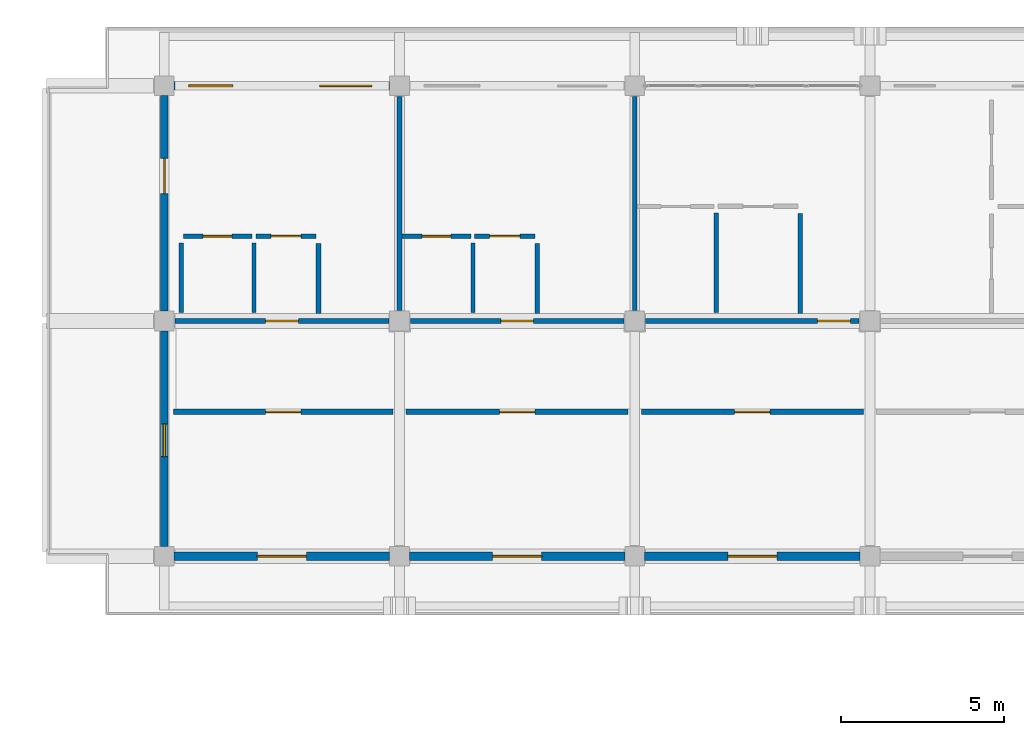
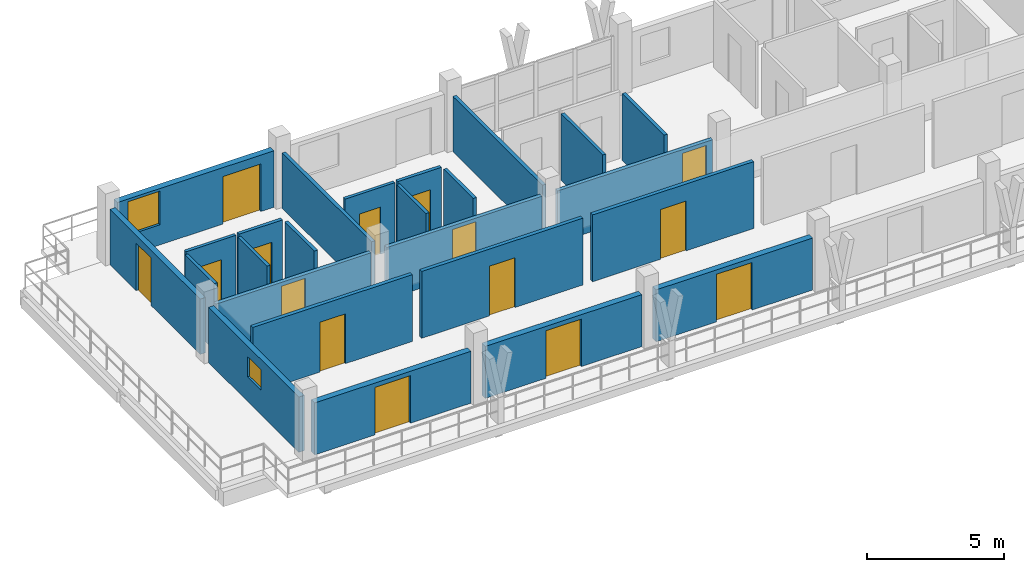
# One storey, part 38 of 73: 25 walls, 15 doors, 2 windows, 17 openings.
"""IFC4 building model written with IfcOpenShell, lengths in metres."""

from ifc_helpers import new_model, si_unit, direction, frame, frame_2d, origin, place, context, subcontext, project, spatial, rectangle, extrude, material, layer, layer_set, type_object, element, fill, save


model = new_model("IFC4")

# Units and contexts
model_context = context("Model", 3, precision=1e-05, world=origin(), true_north=direction((0.0, 1.0)))
body_context = subcontext(model_context, "Body", "Model", "MODEL_VIEW")
ifc_project = project(units=[si_unit("LENGTHUNIT", "METRE"), si_unit("AREAUNIT", "SQUARE_METRE"), si_unit("VOLUMEUNIT", "CUBIC_METRE"), si_unit("PLANEANGLEUNIT", "RADIAN"), si_unit("MASSUNIT", "GRAM", prefix="KILO")], contexts=[model_context])

# Site, building, storey
site_placement = place(None, origin())
site = spatial("IfcSite", under=ifc_project, at=site_placement, CompositionType="ELEMENT")
building_placement = place(site_placement, origin())
building = spatial("IfcBuilding", under=site, at=building_placement, Name="Suanplinth Sawtooth Commons", CompositionType="ELEMENT")
storey_placement = place(building_placement, frame((0.0, 0.0, 21.89990234375)))
storey = spatial("IfcBuildingStorey", under=building, at=storey_placement, Name="L06", CompositionType="ELEMENT", Elevation=21.89990234375)

# Wall, openings, door, window
ifc_material_1 = material(Name="Precast concrete C40/50", Category="concrete")
ifc_layer_1 = layer(ifc_material_1, 0.260009765625, Name="Insulated precast courtyard facade wall 260mm")
ifc_layer_set_1 = layer_set([ifc_layer_1], Name="Precast concrete C40/50")
wall_type_1 = type_object("IfcWallType", Name="W-EX02", PredefinedType="ELEMENTEDWALL", material=ifc_layer_set_1)
wall_1_placement = place(storey_placement, frame((7.5, 122.39990234375, 0.0), z_axis=(0.0, 0.0, 1.0), x_axis=(1.0, 0.0, 0.0)))
wall_1 = element("IfcWall", 1, at=wall_1_placement, inside=storey, type_object=wall_type_1, Name="Facade Wall W-L06-A-N-0", PredefinedType="ELEMENTEDWALL", context=body_context, shape_type="SweptSolid", body=[
    extrude(rectangle(XDim=6.60009765625, YDim=0.260009765625, at=frame_2d((3.300048828125, 0.0))), origin(), (0.0, 0.0, 1.0), 2.51513671875),
])
opening_1_placement = place(wall_1_placement, frame((4.449951171875, 0.0, 0.0)))
opening_1 = element("IfcOpeningElement", 2, at=opening_1_placement, cuts=wall_1, Name="Opening ED0477", PredefinedType="OPENING", context=body_context, shape_type="SweptSolid", body=[
    extrude(rectangle(XDim=1.60009765625, YDim=2.1201171875, at=frame_2d((0.800048828125, 1.06005859375))), frame((0.0, 0.14501953125, 0.0), z_axis=(0.0, -1.0, 0.0), x_axis=(1.0, 0.0, 0.0)), (0.0, 0.0, 1.0), 0.289794921875),
])
opening_2_placement = place(wall_1_placement, frame((0.449951171875, 0.0, 0.89990234375)))
opening_2 = element("IfcOpeningElement", 3, at=opening_2_placement, cuts=wall_1, Name="Opening W0567", PredefinedType="OPENING", context=body_context, shape_type="SweptSolid", body=[
    extrude(rectangle(XDim=1.35009765625, YDim=1.5, at=frame_2d((0.675048828125, 0.75))), frame((0.0, 0.14501953125, 0.0), z_axis=(0.0, -1.0, 0.0), x_axis=(1.0, 0.0, 0.0)), (0.0, 0.0, 1.0), 0.289794921875),
])
ifc_material_2 = material(Name="Anodized aluminium and low-E glass", Category="aluminium")
door_type_1 = type_object("IfcDoorType", Name="SD-02", OperationType="SLIDING_TO_RIGHT", PredefinedType="DOOR", material=ifc_material_2)
door_1_placement = place(opening_1_placement, frame((1.60009765625, 0.0, 0.0), z_axis=(0.0, 0.0, 1.0), x_axis=(-1.0, 0.0, 0.0)))
door_1 = element("IfcDoor", 4, at=door_1_placement, inside=storey, type_object=door_type_1, Name="Balcony Sliding Door L06-A-N-0", OperationType="SLIDING_TO_RIGHT", OverallHeight=2.1201171875, OverallWidth=1.60009765625, PredefinedType="DOOR", context=body_context, shape_type="SweptSolid", body=[
    extrude(rectangle(XDim=1.60009765625, YDim=2.1201171875, at=frame_2d((0.800048828125, 1.06005859375))), frame((0.0, 0.02490234375, 0.0), z_axis=(0.0, -1.0, 0.0), x_axis=(1.0, 0.0, 0.0)), (0.0, 0.0, 1.0), 0.050048828125),
])
fill(opening_1, door_1)
ifc_material_3 = material(Name="Thermally broken aluminium and low-E double glazing", Category="aluminium")
window_type_1 = type_object("IfcWindowType", Name="WN-14", PartitioningType="SINGLE_PANEL", PredefinedType="WINDOW", material=ifc_material_3)
window_1_placement = place(opening_2_placement, origin())
window_1 = element("IfcWindow", 5, at=window_1_placement, inside=storey, type_object=window_type_1, Name="Window L06-A-N-0", OverallHeight=1.5, OverallWidth=1.35009765625, PartitioningType="SINGLE_PANEL", PredefinedType="WINDOW", context=body_context, shape_type="SweptSolid", body=[
    extrude(rectangle(XDim=1.35009765625, YDim=1.5, at=frame_2d((0.675048828125, 0.75))), frame((0.0, 0.030029296875, 0.0), z_axis=(0.0, -1.0, 0.0), x_axis=(1.0, 0.0, 0.0)), (0.0, 0.0, 1.0), 0.06005859375),
])
fill(opening_2, window_1)

# Wall, opening, door
wall_2_placement = place(storey_placement, frame((7.5, 108.0, 0.0), z_axis=(0.0, 0.0, 1.0), x_axis=(1.0, 0.0, 0.0)))
wall_2 = element("IfcWall", 6, at=wall_2_placement, inside=storey, type_object=wall_type_1, Name="Courtyard Wall W-L06-A-S-0", PredefinedType="ELEMENTEDWALL", context=body_context, shape_type="SweptSolid", body=[
    extrude(rectangle(XDim=6.60009765625, YDim=0.260009765625, at=frame_2d((3.300048828125, 0.0))), origin(), (0.0, 0.0, 1.0), 2.315185546875),
])
opening_3_placement = place(wall_2_placement, frame((2.550048828125, 0.0, 0.0)))
opening_3 = element("IfcOpeningElement", 7, at=opening_3_placement, cuts=wall_2, Name="Opening ED0478", PredefinedType="OPENING", context=body_context, shape_type="SweptSolid", body=[
    extrude(rectangle(XDim=1.5, YDim=2.1201171875, at=frame_2d((0.75, 1.06005859375))), frame((0.0, 0.14501953125, 0.0), z_axis=(0.0, -1.0, 0.0), x_axis=(1.0, 0.0, 0.0)), (0.0, 0.0, 1.0), 0.289794921875),
])
door_type_2 = type_object("IfcDoorType", Name="SD-03", OperationType="SLIDING_TO_LEFT", PredefinedType="DOOR", material=ifc_material_2)
door_2_placement = place(opening_3_placement, frame((1.5, 0.0, 0.0), z_axis=(0.0, 0.0, 1.0), x_axis=(-1.0, 0.0, 0.0)))
door_2 = element("IfcDoor", 8, at=door_2_placement, inside=storey, type_object=door_type_2, Name="Courtyard Balcony Sliding Door L06-A-S-0", OperationType="SLIDING_TO_LEFT", OverallHeight=2.1201171875, OverallWidth=1.5, PredefinedType="DOOR", context=body_context, shape_type="SweptSolid", body=[
    extrude(rectangle(XDim=1.5, YDim=2.1201171875, at=frame_2d((0.75, 1.06005859375))), frame((0.0, 0.02490234375, 0.0), z_axis=(0.0, -1.0, 0.0), x_axis=(1.0, 0.0, 0.0)), (0.0, 0.0, 1.0), 0.050048828125),
])
fill(opening_3, door_2)

wall_3_placement = place(storey_placement, frame((14.699951171875, 108.0, 0.0), z_axis=(0.0, 0.0, 1.0), x_axis=(1.0, 0.0, 0.0)))
wall_3 = element("IfcWall", 9, at=wall_3_placement, inside=storey, type_object=wall_type_1, Name="Courtyard Wall W-L06-A-S-1", PredefinedType="ELEMENTEDWALL", context=body_context, shape_type="SweptSolid", body=[
    extrude(rectangle(XDim=6.60009765625, YDim=0.260009765625, at=frame_2d((3.300048828125, 0.0))), origin(), (0.0, 0.0, 1.0), 2.315185546875),
])
opening_4_placement = place(wall_3_placement, frame((2.550048828125, 0.0, 0.0)))
opening_4 = element("IfcOpeningElement", 10, at=opening_4_placement, cuts=wall_3, Name="Opening ED0480", PredefinedType="OPENING", context=body_context, shape_type="SweptSolid", body=[
    extrude(rectangle(XDim=1.5, YDim=2.1201171875, at=frame_2d((0.75, 1.06005859375))), frame((0.0, 0.14501953125, 0.0), z_axis=(0.0, -1.0, 0.0), x_axis=(1.0, 0.0, 0.0)), (0.0, 0.0, 1.0), 0.289794921875),
])
door_3_placement = place(opening_4_placement, frame((1.5, 0.0, 0.0), z_axis=(0.0, 0.0, 1.0), x_axis=(-1.0, 0.0, 0.0)))
door_3 = element("IfcDoor", 11, at=door_3_placement, inside=storey, type_object=door_type_2, Name="Courtyard Balcony Sliding Door L06-A-S-1", OperationType="SLIDING_TO_LEFT", OverallHeight=2.1201171875, OverallWidth=1.5, PredefinedType="DOOR", context=body_context, shape_type="SweptSolid", body=[
    extrude(rectangle(XDim=1.5, YDim=2.1201171875, at=frame_2d((0.75, 1.06005859375))), frame((0.0, 0.02490234375, 0.0), z_axis=(0.0, -1.0, 0.0), x_axis=(1.0, 0.0, 0.0)), (0.0, 0.0, 1.0), 0.050048828125),
])
fill(opening_4, door_3)

wall_4_placement = place(storey_placement, frame((21.89990234375, 108.0, 0.0), z_axis=(0.0, 0.0, 1.0), x_axis=(1.0, 0.0, 0.0)))
wall_4 = element("IfcWall", 12, at=wall_4_placement, inside=storey, type_object=wall_type_1, Name="Courtyard Wall W-L06-A-S-2", PredefinedType="ELEMENTEDWALL", context=body_context, shape_type="SweptSolid", body=[
    extrude(rectangle(XDim=6.60009765625, YDim=0.260009765625, at=frame_2d((3.300048828125, 0.0))), origin(), (0.0, 0.0, 1.0), 2.315185546875),
])
opening_5_placement = place(wall_4_placement, frame((2.550048828125, 0.0, 0.0)))
opening_5 = element("IfcOpeningElement", 13, at=opening_5_placement, cuts=wall_4, Name="Opening ED0481", PredefinedType="OPENING", context=body_context, shape_type="SweptSolid", body=[
    extrude(rectangle(XDim=1.5, YDim=2.1201171875, at=frame_2d((0.75, 1.06005859375))), frame((0.0, 0.14501953125, 0.0), z_axis=(0.0, -1.0, 0.0), x_axis=(1.0, 0.0, 0.0)), (0.0, 0.0, 1.0), 0.289794921875),
])
door_4_placement = place(opening_5_placement, frame((1.5, 0.0, 0.0), z_axis=(0.0, 0.0, 1.0), x_axis=(-1.0, 0.0, 0.0)))
door_4 = element("IfcDoor", 14, at=door_4_placement, inside=storey, type_object=door_type_2, Name="Courtyard Balcony Sliding Door L06-A-S-2", OperationType="SLIDING_TO_LEFT", OverallHeight=2.1201171875, OverallWidth=1.5, PredefinedType="DOOR", context=body_context, shape_type="SweptSolid", body=[
    extrude(rectangle(XDim=1.5, YDim=2.1201171875, at=frame_2d((0.75, 1.06005859375))), frame((0.0, 0.02490234375, 0.0), z_axis=(0.0, -1.0, 0.0), x_axis=(1.0, 0.0, 0.0)), (0.0, 0.0, 1.0), 0.050048828125),
])
fill(opening_5, door_4)

# Wall, opening, window
ifc_layer_2 = layer(ifc_material_1, 0.22998046875, Name="Stepped terrace insulated precast wall 230mm")
ifc_layer_set_2 = layer_set([ifc_layer_2], Name="Precast concrete C40/50")
wall_type_2 = type_object("IfcWallType", Name="W-EX06", PredefinedType="ELEMENTEDWALL", material=ifc_layer_set_2)
wall_5_placement = place(storey_placement, frame((7.199951171875, 108.300048828125, 0.0), z_axis=(0.0, 0.0, 1.0), x_axis=(0.0, 1.0, 0.0)))
wall_5 = element("IfcWall", 15, at=wall_5_placement, inside=storey, type_object=wall_type_2, Name="End Wall W-L06-A-W-15", PredefinedType="ELEMENTEDWALL", context=body_context, shape_type="SweptSolid", body=[
    extrude(rectangle(XDim=6.599853515625, YDim=0.22998046875, at=frame_2d((3.2998046875, 0.0))), origin(), (0.0, 0.0, 1.0), 2.465087890625),
])
opening_6_placement = place(wall_5_placement, frame((2.75, 0.0, 1.10009765625)))
opening_6 = element("IfcOpeningElement", 16, at=opening_6_placement, cuts=wall_5, Name="Opening W0581", PredefinedType="OPENING", context=body_context, shape_type="SweptSolid", body=[
    extrude(rectangle(XDim=1.0, YDim=0.89990234375, at=frame_2d((0.5, 0.449951171875))), frame((0.0, 0.1298828125, 0.0), z_axis=(0.0, -1.0, 0.0), x_axis=(1.0, 0.0, 0.0)), (0.0, 0.0, 1.0), 0.259765625),
])
window_type_2 = type_object("IfcWindowType", Name="WN-12", PartitioningType="SINGLE_PANEL", PredefinedType="WINDOW", material=ifc_material_3)
window_2_placement = place(opening_6_placement, origin())
window_2 = element("IfcWindow", 17, at=window_2_placement, inside=storey, type_object=window_type_2, Name="End Window L06-A-W-15", OverallHeight=0.89990234375, OverallWidth=1.0, PartitioningType="SINGLE_PANEL", PredefinedType="WINDOW", context=body_context, shape_type="SweptSolid", body=[
    extrude(rectangle(XDim=1.0, YDim=0.89990234375, at=frame_2d((0.5, 0.449951171875))), frame((0.0, 0.030029296875, 0.0), z_axis=(0.0, -1.0, 0.0), x_axis=(1.0, 0.0, 0.0)), (0.0, 0.0, 1.0), 0.06005859375),
])
fill(opening_6, window_2)

# Wall, opening, door
wall_6_placement = place(storey_placement, frame((7.199951171875, 115.5, 0.0), z_axis=(0.0, 0.0, 1.0), x_axis=(0.0, 1.0, 0.0)))
wall_6 = element("IfcWall", 18, at=wall_6_placement, inside=storey, type_object=wall_type_2, Name="End Wall W-L06-A-W-16", PredefinedType="ELEMENTEDWALL", context=body_context, shape_type="SweptSolid", body=[
    extrude(rectangle(XDim=6.60009765625, YDim=0.22998046875, at=frame_2d((3.300048828125, 0.0))), origin(), (0.0, 0.0, 1.0), 2.465087890625),
])
opening_7_placement = place(wall_6_placement, frame((3.60009765625, 0.0, 0.0)))
opening_7 = element("IfcOpeningElement", 19, at=opening_7_placement, cuts=wall_6, Name="Opening ED0497", PredefinedType="OPENING", context=body_context, shape_type="SweptSolid", body=[
    extrude(rectangle(XDim=1.080078125, YDim=2.1201171875, at=frame_2d((0.5400390625, 1.06005859375))), frame((0.0, 0.1298828125, 0.0), z_axis=(0.0, -1.0, 0.0), x_axis=(1.0, 0.0, 0.0)), (0.0, 0.0, 1.0), 0.259765625),
])
door_type_3 = type_object("IfcDoorType", Name="ED-10", OperationType="NOTDEFINED", PredefinedType="DOOR", material=ifc_material_2)
door_5_placement = place(opening_7_placement, frame((1.080078125, 0.0, 0.0), z_axis=(0.0, 0.0, 1.0), x_axis=(-1.0, 0.0, 0.0)))
door_5 = element("IfcDoor", 20, at=door_5_placement, inside=storey, type_object=door_type_3, Name="L06 Block A W Stepped Terrace Door", OperationType="SINGLE_SWING_RIGHT", OverallHeight=2.1201171875, OverallWidth=1.080078125, PredefinedType="DOOR", context=body_context, shape_type="SweptSolid", body=[
    extrude(rectangle(XDim=1.080078125, YDim=2.1201171875, at=frame_2d((0.5400390625, 1.06005859375))), frame((0.0, 0.02490234375, 0.0), z_axis=(0.0, -1.0, 0.0), x_axis=(1.0, 0.0, 0.0)), (0.0, 0.0, 1.0), 0.050048828125),
])
fill(opening_7, door_5)

ifc_layer_3 = layer(ifc_material_1, 0.159912109375, Name="Fire-rated corridor and lobby wall 160mm")
ifc_layer_set_3 = layer_set([ifc_layer_3], Name="Precast concrete C40/50")
wall_type_3 = type_object("IfcWallType", Name="W-FW01", PredefinedType="PARTITIONING", material=ifc_layer_set_3)
wall_7_placement = place(storey_placement, frame((7.530029296875, 115.199951171875, 0.0), z_axis=(0.0, 0.0, 1.0), x_axis=(1.0, 0.0, 0.0)))
wall_7 = element("IfcWall", 21, at=wall_7_placement, inside=storey, type_object=wall_type_3, Name="W-A-L06-U01-COR", PredefinedType="PARTITIONING", context=body_context, shape_type="SweptSolid", body=[
    extrude(rectangle(XDim=6.5400390625, YDim=0.159912109375, at=frame_2d((3.27001953125, 0.0))), origin(), (0.0, 0.0, 1.0), 2.315185546875),
])
opening_8_placement = place(wall_7_placement, frame((2.77001953125, 0.0, 0.0)))
opening_8 = element("IfcOpeningElement", 22, at=opening_8_placement, cuts=wall_7, Name="Opening FD1355", PredefinedType="OPENING", context=body_context, shape_type="SweptSolid", body=[
    extrude(rectangle(XDim=1.0, YDim=2.14990234375, at=frame_2d((0.5, 1.074951171875))), frame((0.0, 0.0947265625, 0.0), z_axis=(0.0, -1.0, 0.0), x_axis=(1.0, 0.0, 0.0)), (0.0, 0.0, 1.0), 0.189697265625),
])
ifc_material_4 = material(Name="Teak hardwood fire-rated door assembly", Category="wood")
door_type_4 = type_object("IfcDoorType", Name="FD-03", OperationType="NOTDEFINED", PredefinedType="DOOR", material=ifc_material_4)
door_6_placement = place(opening_8_placement, origin())
door_6 = element("IfcDoor", 23, at=door_6_placement, inside=storey, type_object=door_type_4, Name="Unit Entrance Door FD1355", OperationType="SINGLE_SWING_LEFT", OverallHeight=2.14990234375, OverallWidth=1.0, PredefinedType="DOOR", context=body_context, shape_type="SweptSolid", body=[
    extrude(rectangle(XDim=1.0, YDim=2.14990234375, at=frame_2d((0.5, 1.074951171875))), frame((0.0, 0.02490234375, 0.0), z_axis=(0.0, -1.0, 0.0), x_axis=(1.0, 0.0, 0.0)), (0.0, 0.0, 1.0), 0.050048828125),
])
fill(opening_8, door_6)

wall_8_placement = place(storey_placement, frame((14.72998046875, 115.199951171875, 0.0), z_axis=(0.0, 0.0, 1.0), x_axis=(1.0, 0.0, 0.0)))
wall_8 = element("IfcWall", 24, at=wall_8_placement, inside=storey, type_object=wall_type_3, Name="W-A-L06-U02-COR", PredefinedType="PARTITIONING", context=body_context, shape_type="SweptSolid", body=[
    extrude(rectangle(XDim=6.5400390625, YDim=0.159912109375, at=frame_2d((3.27001953125, 0.0))), origin(), (0.0, 0.0, 1.0), 2.315185546875),
])
opening_9_placement = place(wall_8_placement, frame((2.77001953125, 0.0, 0.0)))
opening_9 = element("IfcOpeningElement", 25, at=opening_9_placement, cuts=wall_8, Name="Opening FD1358", PredefinedType="OPENING", context=body_context, shape_type="SweptSolid", body=[
    extrude(rectangle(XDim=1.0, YDim=2.14990234375, at=frame_2d((0.5, 1.074951171875))), frame((0.0, 0.0947265625, 0.0), z_axis=(0.0, -1.0, 0.0), x_axis=(1.0, 0.0, 0.0)), (0.0, 0.0, 1.0), 0.189697265625),
])
door_7_placement = place(opening_9_placement, origin())
door_7 = element("IfcDoor", 26, at=door_7_placement, inside=storey, type_object=door_type_4, Name="Unit Entrance Door FD1358", OperationType="SINGLE_SWING_RIGHT", OverallHeight=2.14990234375, OverallWidth=1.0, PredefinedType="DOOR", context=body_context, shape_type="SweptSolid", body=[
    extrude(rectangle(XDim=1.0, YDim=2.14990234375, at=frame_2d((0.5, 1.074951171875))), frame((0.0, 0.02490234375, 0.0), z_axis=(0.0, -1.0, 0.0), x_axis=(1.0, 0.0, 0.0)), (0.0, 0.0, 1.0), 0.050048828125),
])
fill(opening_9, door_7)

wall_9_placement = place(storey_placement, frame((21.929931640625, 115.199951171875, 0.0), z_axis=(0.0, 0.0, 1.0), x_axis=(1.0, 0.0, 0.0)))
wall_9 = element("IfcWall", 27, at=wall_9_placement, inside=storey, type_object=wall_type_3, Name="W-A-L06-U03-COR-S1", PredefinedType="PARTITIONING", context=body_context, shape_type="SweptSolid", body=[
    extrude(rectangle(XDim=6.5400390625, YDim=0.159912109375, at=frame_2d((3.27001953125, 0.0))), origin(), (0.0, 0.0, 1.0), 2.315185546875),
])
opening_10_placement = place(wall_9_placement, frame((5.27001953125, 0.0, 0.0)))
opening_10 = element("IfcOpeningElement", 28, at=opening_10_placement, cuts=wall_9, Name="Opening FD1361", PredefinedType="OPENING", context=body_context, shape_type="SweptSolid", body=[
    extrude(rectangle(XDim=1.0, YDim=2.14990234375, at=frame_2d((0.5, 1.074951171875))), frame((0.0, 0.0947265625, 0.0), z_axis=(0.0, -1.0, 0.0), x_axis=(1.0, 0.0, 0.0)), (0.0, 0.0, 1.0), 0.189697265625),
])
door_8_placement = place(opening_10_placement, origin())
door_8 = element("IfcDoor", 29, at=door_8_placement, inside=storey, type_object=door_type_4, Name="Unit Entrance Door FD1361", OperationType="SINGLE_SWING_LEFT", OverallHeight=2.14990234375, OverallWidth=1.0, PredefinedType="DOOR", context=body_context, shape_type="SweptSolid", body=[
    extrude(rectangle(XDim=1.0, YDim=2.14990234375, at=frame_2d((0.5, 1.074951171875))), frame((0.0, 0.02490234375, 0.0), z_axis=(0.0, -1.0, 0.0), x_axis=(1.0, 0.0, 0.0)), (0.0, 0.0, 1.0), 0.050048828125),
])
fill(opening_10, door_8)

wall_10_placement = place(storey_placement, frame((7.47998046875, 112.419921875, 0.0), z_axis=(0.0, 0.0, 1.0), x_axis=(1.0, 0.0, 0.0)))
wall_10 = element("IfcWall", 30, at=wall_10_placement, inside=storey, type_object=wall_type_3, Name="W-A-L06-COURTROOM-11-COR", PredefinedType="PARTITIONING", context=body_context, shape_type="SweptSolid", body=[
    extrude(rectangle(XDim=6.719970703125, YDim=0.159912109375, at=frame_2d((3.35986328125, 0.0))), origin(), (0.0, 0.0, 1.0), 2.97998046875),
])
opening_11_placement = place(wall_10_placement, frame((2.820068359375, 0.0, 0.0)))
opening_11 = element("IfcOpeningElement", 31, at=opening_11_placement, cuts=wall_10, Name="Opening D1394", PredefinedType="OPENING", context=body_context, shape_type="SweptSolid", body=[
    extrude(rectangle(XDim=1.080078125, YDim=2.219970703125, at=frame_2d((0.5400390625, 1.10986328125))), frame((0.0, 0.0947265625, 0.0), z_axis=(0.0, -1.0, 0.0), x_axis=(1.0, 0.0, 0.0)), (0.0, 0.0, 1.0), 0.189697265625),
])
ifc_material_5 = material(Name="Teak hardwood", Category="wood")
door_type_5 = type_object("IfcDoorType", Name="D-17", OperationType="NOTDEFINED", PredefinedType="DOOR", material=ifc_material_5)
door_9_placement = place(opening_11_placement, frame((1.080078125, 0.0, 0.0), z_axis=(0.0, 0.0, 1.0), x_axis=(-1.0, 0.0, 0.0)))
door_9 = element("IfcDoor", 32, at=door_9_placement, inside=storey, type_object=door_type_5, Name="Study Studio Door D1394", OperationType="SINGLE_SWING_RIGHT", OverallHeight=2.219970703125, OverallWidth=1.080078125, PredefinedType="DOOR", context=body_context, shape_type="SweptSolid", body=[
    extrude(rectangle(XDim=1.080078125, YDim=2.219970703125, at=frame_2d((0.5400390625, 1.10986328125))), frame((0.0, 0.02490234375, 0.0), z_axis=(0.0, -1.0, 0.0), x_axis=(1.0, 0.0, 0.0)), (0.0, 0.0, 1.0), 0.050048828125),
])
fill(opening_11, door_9)

wall_11_placement = place(storey_placement, frame((14.60009765625, 112.419921875, 0.0), z_axis=(0.0, 0.0, 1.0), x_axis=(1.0, 0.0, 0.0)))
wall_11 = element("IfcWall", 33, at=wall_11_placement, inside=storey, type_object=wall_type_3, Name="W-A-L06-COURTROOM-12-COR", PredefinedType="PARTITIONING", context=body_context, shape_type="SweptSolid", body=[
    extrude(rectangle(XDim=6.7998046875, YDim=0.159912109375, at=frame_2d((3.39990234375, 0.0))), origin(), (0.0, 0.0, 1.0), 2.97998046875),
])
opening_12_placement = place(wall_11_placement, frame((2.860107421875, 0.0, 0.0)))
opening_12 = element("IfcOpeningElement", 34, at=opening_12_placement, cuts=wall_11, Name="Opening D1395", PredefinedType="OPENING", context=body_context, shape_type="SweptSolid", body=[
    extrude(rectangle(XDim=1.080078125, YDim=2.219970703125, at=frame_2d((0.5400390625, 1.10986328125))), frame((0.0, 0.0947265625, 0.0), z_axis=(0.0, -1.0, 0.0), x_axis=(1.0, 0.0, 0.0)), (0.0, 0.0, 1.0), 0.189697265625),
])
door_10_placement = place(opening_12_placement, frame((1.080078125, 0.0, 0.0), z_axis=(0.0, 0.0, 1.0), x_axis=(-1.0, 0.0, 0.0)))
door_10 = element("IfcDoor", 35, at=door_10_placement, inside=storey, type_object=door_type_5, Name="Study Studio Door D1395", OperationType="SINGLE_SWING_LEFT", OverallHeight=2.219970703125, OverallWidth=1.080078125, PredefinedType="DOOR", context=body_context, shape_type="SweptSolid", body=[
    extrude(rectangle(XDim=1.080078125, YDim=2.219970703125, at=frame_2d((0.5400390625, 1.10986328125))), frame((0.0, 0.02490234375, 0.0), z_axis=(0.0, -1.0, 0.0), x_axis=(1.0, 0.0, 0.0)), (0.0, 0.0, 1.0), 0.050048828125),
])
fill(opening_12, door_10)

wall_12_placement = place(storey_placement, frame((21.800048828125, 112.419921875, 0.0), z_axis=(0.0, 0.0, 1.0), x_axis=(1.0, 0.0, 0.0)))
wall_12 = element("IfcWall", 36, at=wall_12_placement, inside=storey, type_object=wall_type_3, Name="W-A-L06-COURTROOM-13-COR", PredefinedType="PARTITIONING", context=body_context, shape_type="SweptSolid", body=[
    extrude(rectangle(XDim=6.800048828125, YDim=0.159912109375, at=frame_2d((3.39990234375, 0.0))), origin(), (0.0, 0.0, 1.0), 2.97998046875),
])
opening_13_placement = place(wall_12_placement, frame((2.860107421875, 0.0, 0.0)))
opening_13 = element("IfcOpeningElement", 37, at=opening_13_placement, cuts=wall_12, Name="Opening D1396", PredefinedType="OPENING", context=body_context, shape_type="SweptSolid", body=[
    extrude(rectangle(XDim=1.080078125, YDim=2.219970703125, at=frame_2d((0.5400390625, 1.10986328125))), frame((0.0, 0.0947265625, 0.0), z_axis=(0.0, -1.0, 0.0), x_axis=(1.0, 0.0, 0.0)), (0.0, 0.0, 1.0), 0.189697265625),
])
door_11_placement = place(opening_13_placement, frame((1.080078125, 0.0, 0.0), z_axis=(0.0, 0.0, 1.0), x_axis=(-1.0, 0.0, 0.0)))
door_11 = element("IfcDoor", 38, at=door_11_placement, inside=storey, type_object=door_type_5, Name="Study Studio Door D1396", OperationType="SINGLE_SWING_RIGHT", OverallHeight=2.219970703125, OverallWidth=1.080078125, PredefinedType="DOOR", context=body_context, shape_type="SweptSolid", body=[
    extrude(rectangle(XDim=1.080078125, YDim=2.219970703125, at=frame_2d((0.5400390625, 1.10986328125))), frame((0.0, 0.02490234375, 0.0), z_axis=(0.0, -1.0, 0.0), x_axis=(1.0, 0.0, 0.0)), (0.0, 0.0, 1.0), 0.050048828125),
])
fill(opening_13, door_11)

# Walls
ifc_layer_4 = layer(ifc_material_1, 0.14990234375, Name="Acoustic precast party demising wall 150mm")
ifc_layer_set_4 = layer_set([ifc_layer_4], Name="Precast concrete C40/50")
wall_type_4 = type_object("IfcWallType", Name="W-FW02", PredefinedType="PARTITIONING", material=ifc_layer_set_4)
for number, where, z_axis, x_axis, name in (
    (39, (14.39990234375, 115.530029296875, 0.0), (0.0, 0.0, 1.0), (0.0, 1.0, 0.0), "W-A-L06-U01-PTY"),
    (40, (21.60009765625, 115.530029296875, 0.0), (0.0, 0.0, 1.0), (0.0, 1.0, 0.0), "W-A-L06-U02-PTY"),
):
    element("IfcWall", number, at=place(storey_placement, frame(where, z_axis=z_axis, x_axis=x_axis)), inside=storey, type_object=wall_type_4, Name=name, PredefinedType="PARTITIONING", context=body_context, shape_type="SweptSolid", body=[
        extrude(rectangle(XDim=6.5400390625, YDim=0.14990234375, at=frame_2d((3.27001953125, 0.0))), origin(), (0.0, 0.0, 1.0), 2.465087890625),
    ])

# Wall, opening, door
ifc_material_6 = material(Name="Gypsum plasterboard on steel stud", Category="steel")
ifc_layer_5 = layer(ifc_material_6, 0.139892578125, Name="Fire-rated kitchen partition 140mm")
ifc_layer_set_5 = layer_set([ifc_layer_5], Name="Gypsum plasterboard on steel stud")
wall_type_5 = type_object("IfcWallType", Name="W-PT01", PredefinedType="PARTITIONING", material=ifc_layer_set_5)
wall_13_placement = place(storey_placement, frame((10.0, 117.800048828125, 0.0), z_axis=(0.0, 0.0, 1.0), x_axis=(1.0, 0.0, 0.0)))
wall_13 = element("IfcWall", 41, at=wall_13_placement, inside=storey, type_object=wall_type_5, Name="W-A-L06-U01-KIT1", PredefinedType="PARTITIONING", context=body_context, shape_type="SweptSolid", body=[
    extrude(rectangle(XDim=1.85009765625, YDim=0.139892578125, at=frame_2d((0.925048828125, 0.0))), origin(), (0.0, 0.0, 1.0), 2.97998046875),
])
opening_14_placement = place(wall_13_placement, frame((0.4599609375, 0.0, 0.0)))
opening_14 = element("IfcOpeningElement", 42, at=opening_14_placement, cuts=wall_13, Name="Opening D1357", PredefinedType="OPENING", context=body_context, shape_type="SweptSolid", body=[
    extrude(rectangle(XDim=0.929931640625, YDim=2.139892578125, at=frame_2d((0.46484375, 1.06982421875))), frame((0.0, 0.0849609375, 0.0), z_axis=(0.0, -1.0, 0.0), x_axis=(1.0, 0.0, 0.0)), (0.0, 0.0, 1.0), 0.169677734375),
])
door_type_6 = type_object("IfcDoorType", Name="D-19", OperationType="NOTDEFINED", PredefinedType="DOOR", material=ifc_material_5)
door_12_placement = place(opening_14_placement, frame((0.929931640625, 0.0, 0.0), z_axis=(0.0, 0.0, 1.0), x_axis=(-1.0, 0.0, 0.0)))
door_12 = element("IfcDoor", 43, at=door_12_placement, inside=storey, type_object=door_type_6, Name="Kitchen Door D1357", OperationType="SINGLE_SWING_LEFT", OverallHeight=2.139892578125, OverallWidth=0.929931640625, PredefinedType="DOOR", context=body_context, shape_type="SweptSolid", body=[
    extrude(rectangle(XDim=0.929931640625, YDim=2.139892578125, at=frame_2d((0.46484375, 1.06982421875))), frame((0.0, 0.02490234375, 0.0), z_axis=(0.0, -1.0, 0.0), x_axis=(1.0, 0.0, 0.0)), (0.0, 0.0, 1.0), 0.050048828125),
])
fill(opening_14, door_12)

# Wall
wall_14_placement = place(storey_placement, frame((11.919921875, 115.429931640625, 0.0), z_axis=(0.0, 0.0, 1.0), x_axis=(0.0, 1.0, 0.0)))
element("IfcWall", 44, at=wall_14_placement, inside=storey, type_object=wall_type_5, Name="W-A-L06-U01-KIT2", PredefinedType="PARTITIONING", context=body_context, shape_type="SweptSolid", body=[
    extrude(rectangle(XDim=2.150146484375, YDim=0.139892578125, at=frame_2d((1.0751953125, 0.0))), origin(), (0.0, 0.0, 1.0), 2.97998046875),
])

# Wall, opening, door
wall_15_placement = place(storey_placement, frame((16.699951171875, 117.800048828125, 0.0), z_axis=(0.0, 0.0, 1.0), x_axis=(1.0, 0.0, 0.0)))
wall_15 = element("IfcWall", 45, at=wall_15_placement, inside=storey, type_object=wall_type_5, Name="W-A-L06-U02-KIT1", PredefinedType="PARTITIONING", context=body_context, shape_type="SweptSolid", body=[
    extrude(rectangle(XDim=1.85009765625, YDim=0.139892578125, at=frame_2d((0.925048828125, 0.0))), origin(), (0.0, 0.0, 1.0), 2.97998046875),
])
opening_15_placement = place(wall_15_placement, frame((0.4599609375, 0.0, 0.0)))
opening_15 = element("IfcOpeningElement", 46, at=opening_15_placement, cuts=wall_15, Name="Opening D1360", PredefinedType="OPENING", context=body_context, shape_type="SweptSolid", body=[
    extrude(rectangle(XDim=0.929931640625, YDim=2.139892578125, at=frame_2d((0.46484375, 1.06982421875))), frame((0.0, 0.0849609375, 0.0), z_axis=(0.0, -1.0, 0.0), x_axis=(1.0, 0.0, 0.0)), (0.0, 0.0, 1.0), 0.169677734375),
])
door_13_placement = place(opening_15_placement, frame((0.929931640625, 0.0, 0.0), z_axis=(0.0, 0.0, 1.0), x_axis=(-1.0, 0.0, 0.0)))
door_13 = element("IfcDoor", 47, at=door_13_placement, inside=storey, type_object=door_type_6, Name="Kitchen Door D1360", OperationType="SINGLE_SWING_RIGHT", OverallHeight=2.139892578125, OverallWidth=0.929931640625, PredefinedType="DOOR", context=body_context, shape_type="SweptSolid", body=[
    extrude(rectangle(XDim=0.929931640625, YDim=2.139892578125, at=frame_2d((0.46484375, 1.06982421875))), frame((0.0, 0.02490234375, 0.0), z_axis=(0.0, -1.0, 0.0), x_axis=(1.0, 0.0, 0.0)), (0.0, 0.0, 1.0), 0.050048828125),
])
fill(opening_15, door_13)

# Walls
wall_16_placement = place(storey_placement, frame((18.6201171875, 115.429931640625, 0.0), z_axis=(0.0, 0.0, 1.0), x_axis=(0.0, 1.0, 0.0)))
element("IfcWall", 48, at=wall_16_placement, inside=storey, type_object=wall_type_5, Name="W-A-L06-U02-KIT2", PredefinedType="PARTITIONING", context=body_context, shape_type="SweptSolid", body=[
    extrude(rectangle(XDim=2.150146484375, YDim=0.139892578125, at=frame_2d((1.0751953125, 0.0))), origin(), (0.0, 0.0, 1.0), 2.97998046875),
])
wall_17_placement = place(storey_placement, frame((26.669921875, 115.429931640625, 0.0), z_axis=(0.0, 0.0, 1.0), x_axis=(0.0, 1.0, 0.0)))
element("IfcWall", 49, at=wall_17_placement, inside=storey, type_object=wall_type_5, Name="W-A-L06-U03-KIT2", PredefinedType="PARTITIONING", context=body_context, shape_type="SweptSolid", body=[
    extrude(rectangle(XDim=3.06005859375, YDim=0.139892578125, at=frame_2d((1.530029296875, 0.0))), origin(), (0.0, 0.0, 1.0), 2.97998046875),
])

# Wall, opening, door
ifc_layer_6 = layer(ifc_material_6, 0.1298828125, Name="Moisture-resistant bathroom partition 130mm")
ifc_layer_set_6 = layer_set([ifc_layer_6], Name="Gypsum plasterboard on steel stud")
wall_type_6 = type_object("IfcWallType", Name="W-PT02", PredefinedType="PARTITIONING", material=ifc_layer_set_6)
wall_18_placement = place(storey_placement, frame((7.780029296875, 117.794921875, 0.0), z_axis=(0.0, 0.0, 1.0), x_axis=(1.0, 0.0, 0.0)))
wall_18 = element("IfcWall", 50, at=wall_18_placement, inside=storey, type_object=wall_type_6, Name="W-A-L06-U01-BTH1", PredefinedType="PARTITIONING", context=body_context, shape_type="SweptSolid", body=[
    extrude(rectangle(XDim=2.099853515625, YDim=0.1298828125, at=frame_2d((1.0498046875, 0.0))), origin(), (0.0, 0.0, 1.0), 2.97998046875),
])
opening_16_placement = place(wall_18_placement, frame((0.610107421875, 0.0, 0.0)))
opening_16 = element("IfcOpeningElement", 51, at=opening_16_placement, cuts=wall_18, Name="Opening D1356", PredefinedType="OPENING", context=body_context, shape_type="SweptSolid", body=[
    extrude(rectangle(XDim=0.8798828125, YDim=2.10009765625, at=frame_2d((0.43994140625, 1.050048828125))), frame((0.0, 0.079833984375, 0.0), z_axis=(0.0, -1.0, 0.0), x_axis=(1.0, 0.0, 0.0)), (0.0, 0.0, 1.0), 0.15966796875),
])
door_type_7 = type_object("IfcDoorType", Name="D-14", OperationType="NOTDEFINED", PredefinedType="DOOR", material=ifc_material_5)
door_14_placement = place(opening_16_placement, frame((0.8798828125, 0.0, 0.0), z_axis=(0.0, 0.0, 1.0), x_axis=(-1.0, 0.0, 0.0)))
door_14 = element("IfcDoor", 52, at=door_14_placement, inside=storey, type_object=door_type_7, Name="Bathroom Door D1356", OperationType="SINGLE_SWING_RIGHT", OverallHeight=2.10009765625, OverallWidth=0.8798828125, PredefinedType="DOOR", context=body_context, shape_type="SweptSolid", body=[
    extrude(rectangle(XDim=0.8798828125, YDim=2.10009765625, at=frame_2d((0.43994140625, 1.050048828125))), frame((0.0, 0.02490234375, 0.0), z_axis=(0.0, -1.0, 0.0), x_axis=(1.0, 0.0, 0.0)), (0.0, 0.0, 1.0), 0.050048828125),
])
fill(opening_16, door_14)

# Walls
for number, where, z_axis, x_axis, name in (
    (53, (9.945068359375, 115.4599609375, 0.0), (0.0, 0.0, 1.0), (0.0, 1.0, 0.0), "W-A-L06-U01-BTH2"),
    (54, (7.715087890625, 115.4599609375, 0.0), (0.0, 0.0, 1.0), (0.0, 1.0, 0.0), "W-A-L06-U01-BTH3"),
):
    element("IfcWall", number, at=place(storey_placement, frame(where, z_axis=z_axis, x_axis=x_axis)), inside=storey, type_object=wall_type_6, Name=name, PredefinedType="PARTITIONING", context=body_context, shape_type="SweptSolid", body=[
        extrude(rectangle(XDim=2.130126953125, YDim=0.1298828125, at=frame_2d((1.06494140625, 0.0))), origin(), (0.0, 0.0, 1.0), 2.97998046875),
    ])

# Wall, opening, door
wall_19_placement = place(storey_placement, frame((14.47998046875, 117.794921875, 0.0), z_axis=(0.0, 0.0, 1.0), x_axis=(1.0, 0.0, 0.0)))
wall_19 = element("IfcWall", 55, at=wall_19_placement, inside=storey, type_object=wall_type_6, Name="W-A-L06-U02-BTH1", PredefinedType="PARTITIONING", context=body_context, shape_type="SweptSolid", body=[
    extrude(rectangle(XDim=2.10009765625, YDim=0.1298828125, at=frame_2d((1.050048828125, 0.0))), origin(), (0.0, 0.0, 1.0), 2.97998046875),
])
opening_17_placement = place(wall_19_placement, frame((0.610107421875, 0.0, 0.0)))
opening_17 = element("IfcOpeningElement", 56, at=opening_17_placement, cuts=wall_19, Name="Opening D1359", PredefinedType="OPENING", context=body_context, shape_type="SweptSolid", body=[
    extrude(rectangle(XDim=0.8798828125, YDim=2.10009765625, at=frame_2d((0.43994140625, 1.050048828125))), frame((0.0, 0.079833984375, 0.0), z_axis=(0.0, -1.0, 0.0), x_axis=(1.0, 0.0, 0.0)), (0.0, 0.0, 1.0), 0.15966796875),
])
door_15_placement = place(opening_17_placement, frame((0.8798828125, 0.0, 0.0), z_axis=(0.0, 0.0, 1.0), x_axis=(-1.0, 0.0, 0.0)))
door_15 = element("IfcDoor", 57, at=door_15_placement, inside=storey, type_object=door_type_7, Name="Bathroom Door D1359", OperationType="SINGLE_SWING_LEFT", OverallHeight=2.10009765625, OverallWidth=0.8798828125, PredefinedType="DOOR", context=body_context, shape_type="SweptSolid", body=[
    extrude(rectangle(XDim=0.8798828125, YDim=2.10009765625, at=frame_2d((0.43994140625, 1.050048828125))), frame((0.0, 0.02490234375, 0.0), z_axis=(0.0, -1.0, 0.0), x_axis=(1.0, 0.0, 0.0)), (0.0, 0.0, 1.0), 0.050048828125),
])
fill(opening_17, door_15)

# Walls
wall_20_placement = place(storey_placement, frame((16.64501953125, 115.4599609375, 0.0), z_axis=(0.0, 0.0, 1.0), x_axis=(0.0, 1.0, 0.0)))
element("IfcWall", 58, at=wall_20_placement, inside=storey, type_object=wall_type_6, Name="W-A-L06-U02-BTH2", PredefinedType="PARTITIONING", context=body_context, shape_type="SweptSolid", body=[
    extrude(rectangle(XDim=2.130126953125, YDim=0.1298828125, at=frame_2d((1.06494140625, 0.0))), origin(), (0.0, 0.0, 1.0), 2.97998046875),
])
wall_21_placement = place(storey_placement, frame((24.094970703125, 115.4599609375, 0.0), z_axis=(0.0, 0.0, 1.0), x_axis=(0.0, 1.0, 0.0)))
element("IfcWall", 59, at=wall_21_placement, inside=storey, type_object=wall_type_6, Name="W-A-L06-U03-BTH2", PredefinedType="PARTITIONING", context=body_context, shape_type="SweptSolid", body=[
    extrude(rectangle(XDim=3.0400390625, YDim=0.1298828125, at=frame_2d((1.52001953125, 0.0))), origin(), (0.0, 0.0, 1.0), 2.97998046875),
])

save(model, "model.ifc")
